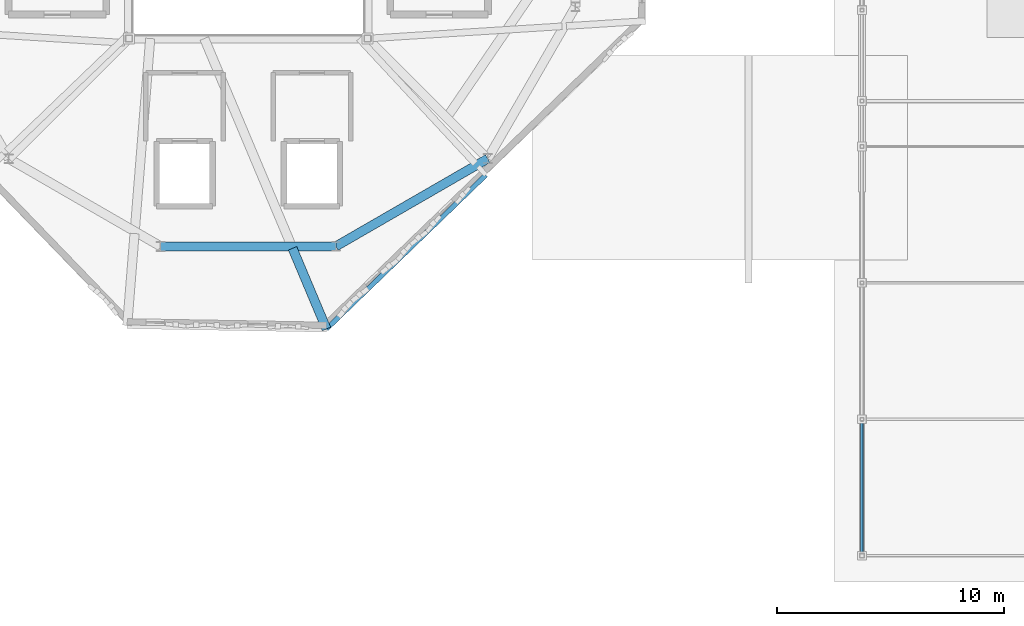
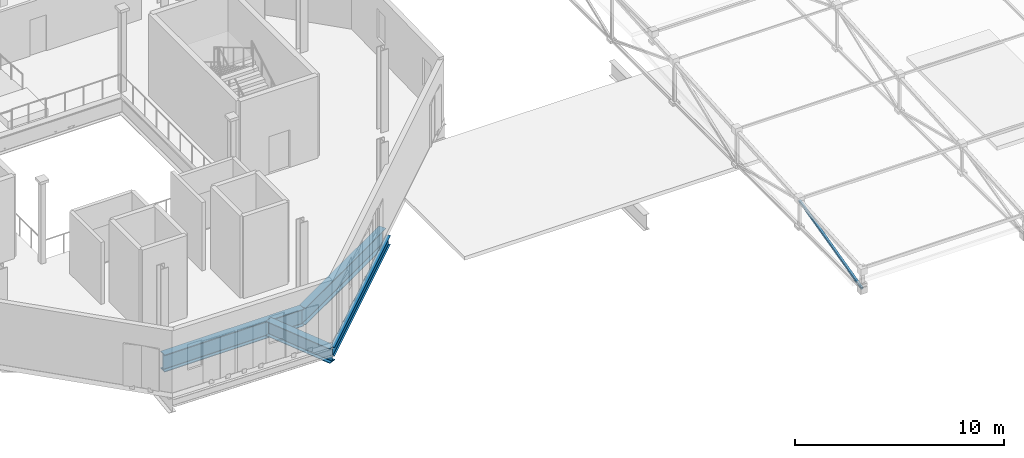
# One storey, part 9 of 85: 4 beams, 1 member.
"""IFC4 building model written with IfcOpenShell, lengths in metres."""

from ifc_helpers import new_model, si_unit, direction, frame, origin, origin_2d, place, context, subcontext, project, spatial, hollow_rectangle, i_section, extrude, material, material_profile, profile_set, type_object, element, save


model = new_model("IFC4")

# Units and contexts
model_context = context("Model", 3, precision=1e-05, world=origin(), true_north=direction((0.0, 1.0)))
body_context = subcontext(model_context, "Body", "Model", "MODEL_VIEW")
ifc_project = project(units=[si_unit("LENGTHUNIT", "METRE"), si_unit("AREAUNIT", "SQUARE_METRE"), si_unit("VOLUMEUNIT", "CUBIC_METRE"), si_unit("PLANEANGLEUNIT", "RADIAN"), si_unit("MASSUNIT", "GRAM", prefix="KILO"), si_unit("THERMODYNAMICTEMPERATUREUNIT", "KELVIN"), si_unit("POWERUNIT", "WATT")], contexts=[model_context])

# Site, building, storey
site_placement = place(None, origin())
site = spatial("IfcSite", under=ifc_project, at=site_placement, CompositionType="ELEMENT")
building_placement = place(site_placement, origin())
building = spatial("IfcBuilding", under=site, at=building_placement, Name="Zelmaris Science Centre", CompositionType="ELEMENT")
storey_placement = place(building_placement, frame((0.0, 0.0, 20.39990234375)))
storey = spatial("IfcBuildingStorey", under=building, at=storey_placement, Name="L04", CompositionType="ELEMENT", Elevation=20.39990234375)

# Beams
ifc_material_1 = material(Name="Steel ASTM A992 Grade 50", Category="steel")
ifc_material_profile_1 = material_profile(ifc_material_1, i_section(OverallWidth=0.40087890625, OverallDepth=1.0009765625, WebThickness=0.01904296875, FlangeThickness=0.0361328125, FilletRadius=0.02490234375, at=origin_2d()), Name="W40X249")
ifc_profile_set_1 = profile_set([ifc_material_profile_1], Name="Steel ASTM A992 Grade 50")
beam_type_1 = type_object("IfcBeamType", Name="Beam G-22 W40X249", PredefinedType="BEAM", material=ifc_profile_set_1)
for number, where, z_axis, x_axis, name in (
    (1, (77.1435546875, 21.607666015625, -0.780517578125), (1.0, 0.0, 0.0), (0.0, 1.0, 0.0), "L04 Exhibition inner ring girder 9"),
    (2, (84.8564453125, 21.607666015625, -0.780517578125), (0.866021648359, 0.500006504531, 0.0), (-0.500006504531, 0.866021648359, 0.0), "L04 Exhibition inner ring girder 10"),
):
    element("IfcBeam", number, at=place(storey_placement, frame(where, z_axis=z_axis, x_axis=x_axis)), inside=storey, type_object=beam_type_1, Name=name, PredefinedType="BEAM", context=body_context, shape_type="SweptSolid", body=[
        extrude(i_section(OverallWidth=0.40087890625, OverallDepth=1.0009765625, WebThickness=0.01904296875, FlangeThickness=0.0361328125, FilletRadius=0.02490234375, at=origin_2d()), origin(), (0.0, 0.0, 1.0), 7.712890625),
    ])
ifc_material_profile_2 = material_profile(ifc_material_1, i_section(OverallWidth=0.404052734375, OverallDepth=0.861083984375, WebThickness=0.019775390625, FlangeThickness=0.032470703125, FilletRadius=0.02001953125, at=origin_2d()), Name="W33X221")
ifc_profile_set_2 = profile_set([ifc_material_profile_2], Name="Steel ASTM A992 Grade 50")
beam_type_2 = type_object("IfcBeamType", Name="Beam G-28 W33X221", PredefinedType="BEAM", material=ifc_profile_set_2)
beam_1_placement = place(storey_placement, frame((82.94970703125, 21.52001953125, -0.71044921875), z_axis=(0.387654193766, -0.921804874177, 0.0), x_axis=(0.921804874177, 0.387654193766, 0.0)))
element("IfcBeam", 3, at=beam_1_placement, inside=storey, type_object=beam_type_2, Name="L04 Radial overhang girder 1", PredefinedType="BEAM", context=body_context, shape_type="SweptSolid", body=[
    extrude(i_section(OverallWidth=0.404052734375, OverallDepth=0.861083984375, WebThickness=0.019775390625, FlangeThickness=0.032470703125, FilletRadius=0.02001953125, at=origin_2d()), origin(), (0.0, 0.0, 1.0), 3.847900390625),
])
ifc_material_profile_3 = material_profile(ifc_material_1, i_section(OverallWidth=0.2109375, OverallDepth=0.5380859375, WebThickness=0.01171875, FlangeThickness=0.018798828125, FilletRadius=0.013916015625, at=origin_2d()), Name="W21X73")
ifc_profile_set_3 = profile_set([ifc_material_profile_3], Name="Steel ASTM A992 Grade 50")
beam_type_3 = type_object("IfcBeamType", Name="Beam SP-02 W21X73", PredefinedType="SPANDREL", material=ifc_profile_set_3)
beam_2_placement = place(storey_placement, frame((84.44140625, 17.972900390625, -0.548828125), z_axis=(0.719331559977, 0.694666903502, 0.0), x_axis=(-0.694666903502, 0.719331559977, 0.0)))
element("IfcBeam", 4, at=beam_2_placement, inside=storey, type_object=beam_type_3, Name="L04 Rotated facade spandrel beam 1", PredefinedType="SPANDREL", context=body_context, shape_type="SweptSolid", body=[
    extrude(i_section(OverallWidth=0.2109375, OverallDepth=0.5380859375, WebThickness=0.01171875, FlangeThickness=0.018798828125, FilletRadius=0.013916015625, at=origin_2d()), origin(), (0.0, 0.0, 1.0), 9.75),
])

# Member
ifc_material_2 = material(Name="Steel ASTM A500 Grade C", Category="steel")
ifc_material_profile_4 = material_profile(ifc_material_2, hollow_rectangle(XDim=0.126953125, YDim=0.126953125, WallThickness=0.00732421875, InnerFilletRadius=0.00732421875, OuterFilletRadius=0.014892578125, at=origin_2d()), Name="HSS127X127X8")
ifc_profile_set_4 = profile_set([ifc_material_profile_4], Name="Steel ASTM A500 Grade C")
member_type = type_object("IfcMemberType", Name="Structural Brace BR-04 HSS127X127X8", PredefinedType="BRACE", material=ifc_profile_set_4)
member_placement = place(storey_placement, frame((108.0, 8.0, 0.947998046875), z_axis=(0.0, 0.969667181253, 0.244429044102), x_axis=(-1.0, 0.0, 0.0)))
element("IfcMember", 5, at=member_placement, inside=storey, type_object=member_type, Name="RF-V4 Roof truss 1 web diagonal 1", PredefinedType="BRACE", context=body_context, shape_type="SweptSolid", body=[
    extrude(hollow_rectangle(XDim=0.126953125, YDim=0.126953125, WallThickness=0.00732421875, InnerFilletRadius=0.00732421875, OuterFilletRadius=0.014892578125, at=origin_2d()), origin(), (0.0, 0.0, 1.0), 6.187744140625),
])

save(model, "model.ifc")
